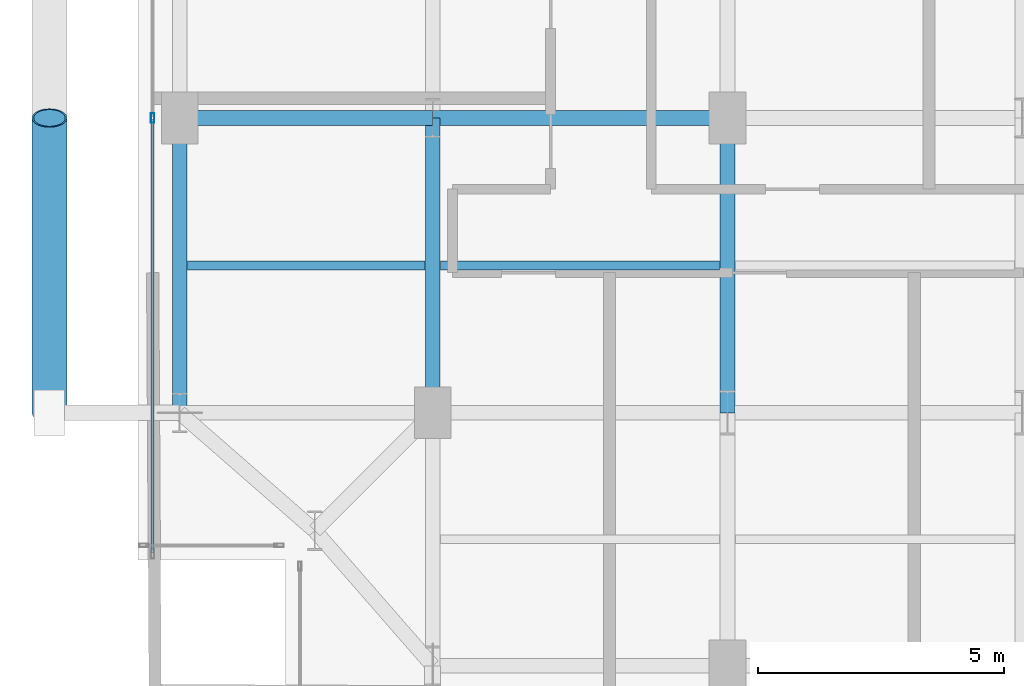
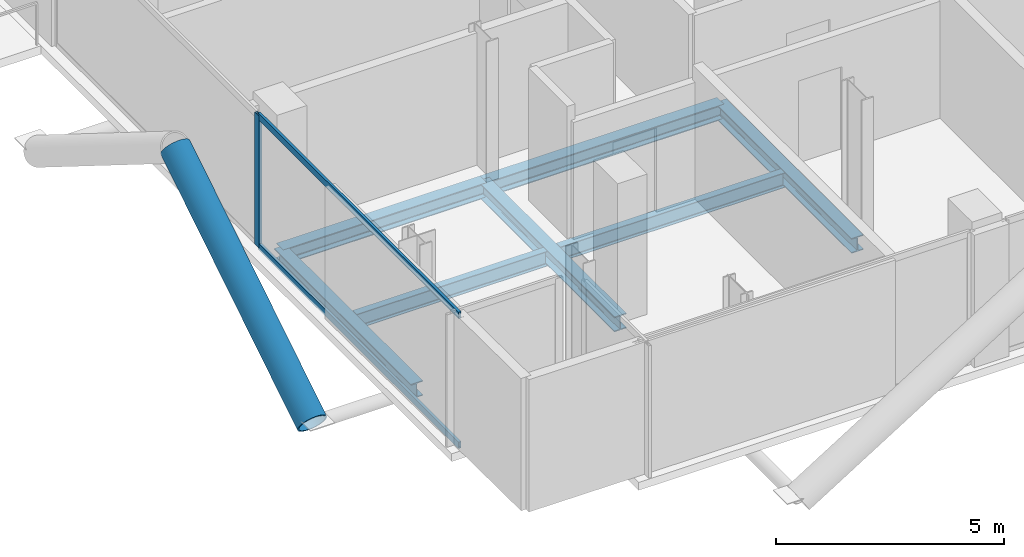
# One storey, part 3 of 26: 7 beams, 4 members, 1 element without a shape of its own.
"""IFC4 building model written with IfcOpenShell, lengths in metres."""

import ifcopenshell
import ifcopenshell.guid

model = None  # the IFC model being written
_history = None  # IfcOwnerHistory: only IFC2X3 demands one
_inside = {}  # id of a spatial element -> (the spatial element, [elements in it])
_under = {}  # id of a project, library or spatial element -> (it, [spatial elements below it])
_declared = {}  # id of a project -> (the project, [libraries it declares])
_typed = {}  # id of a type object -> (the type object, [elements of that type])
_made_of = {}  # id of a material, layer set ... -> (it, [elements and type objects made of it])


def new_model(schema):
    """Start an empty IFC model of exactly this schema.

    Asked for "IFC4X3", IfcOpenShell would pick the latest addendum, in which some entities
    have other attributes; the version numbers below select the first issue.
    IFC2X3 requires an IfcOwnerHistory on every rooted entity: one is made here for all.
    """
    global model, _history
    if schema == "IFC4X3":
        model = ifcopenshell.file(schema_version=(4, 3, 0, 0))
    else:
        model = ifcopenshell.file(schema=schema)
    _inside.clear()
    _under.clear()
    _declared.clear()
    _typed.clear()
    _made_of.clear()
    _history = None
    if model.schema == "IFC2X3":
        org = make("IfcOrganization", Name="unknown")
        user = make(
            "IfcPersonAndOrganization",
            ThePerson=make("IfcPerson", FamilyName="unknown"),
            TheOrganization=org,
        )
        app = make(
            "IfcApplication",
            ApplicationDeveloper=org,
            Version="unknown",
            ApplicationFullName="unknown",
            ApplicationIdentifier="unknown",
        )
        _history = make(
            "IfcOwnerHistory",
            OwningUser=user,
            OwningApplication=app,
            ChangeAction="ADDED",
            CreationDate=0,
        )
    return model


def make(cls, **values):
    """One entity of the class cls with the attributes given. An attribute that is None is left unset."""
    return model.create_entity(
        cls, **{name: value for name, value in values.items() if value is not None}
    )


def rooted(cls, **values):
    """An entity with a GlobalId (a new one), such as an element, a storey or a relation."""
    return make(cls, GlobalId=ifcopenshell.guid.new(), OwnerHistory=_history, **values)


def si_unit(unit_type, name, prefix=None):
    """IfcSIUnit, for example si_unit("LENGTHUNIT", "METRE", prefix="MILLI")."""
    return make("IfcSIUnit", UnitType=unit_type, Prefix=prefix, Name=name)


def assignment(units):
    """IfcUnitAssignment: the units of a project."""
    return None if units is None else make("IfcUnitAssignment", Units=units)


def point(xyz):
    """IfcCartesianPoint."""
    return None if xyz is None else make("IfcCartesianPoint", Coordinates=xyz)


def direction(xyz):
    """IfcDirection."""
    return None if xyz is None else make("IfcDirection", DirectionRatios=xyz)


def frame(location, z_axis=None, x_axis=None):
    """IfcAxis2Placement3D, a coordinate frame: its origin and axes. An axis left out is left unset."""
    return make(
        "IfcAxis2Placement3D",
        Location=point(location),
        Axis=direction(z_axis),
        RefDirection=direction(x_axis),
    )


def frame_2d(location, x_axis=None):
    """IfcAxis2Placement2D, a coordinate frame in the plane: its origin and x axis."""
    return make(
        "IfcAxis2Placement2D", Location=point(location), RefDirection=direction(x_axis)
    )


def origin():
    """The frame at (0, 0, 0) with its axes left unset."""
    return frame((0.0, 0.0, 0.0))


def origin_2d():
    """The frame at (0, 0) in the plane with its x axis left unset."""
    return frame_2d((0.0, 0.0))


def place(relative_to, where):
    """IfcLocalPlacement: puts the frame where relative to a parent placement (None: the world)."""
    return make(
        "IfcLocalPlacement", PlacementRelTo=relative_to, RelativePlacement=where
    )


def context(
    kind, dimensions, precision=None, world=None, true_north=None, identifier=None
):
    """IfcGeometricRepresentationContext, for example the 3D "Model" context."""
    return make(
        "IfcGeometricRepresentationContext",
        ContextIdentifier=identifier,
        ContextType=kind,
        CoordinateSpaceDimension=dimensions,
        Precision=precision,
        WorldCoordinateSystem=world,
        TrueNorth=true_north,
    )


def subcontext(parent, identifier, kind, view, scale=None):
    """IfcGeometricRepresentationSubContext, for example "Body" below "Model"."""
    return make(
        "IfcGeometricRepresentationSubContext",
        ContextIdentifier=identifier,
        ContextType=kind,
        ParentContext=parent,
        TargetScale=scale,
        TargetView=view,
    )


def project(units=None, contexts=None):
    """IfcProject with its units and contexts."""
    return rooted(
        "IfcProject",
        Name="project",
        RepresentationContexts=contexts,
        UnitsInContext=assignment(units),
    )


def spatial(cls, under=None, at=None, **own):
    """A site, building, storey or space (cls), placed at a placement, below another one or the project."""
    s = rooted(cls, ObjectPlacement=at, **own)
    if under is not None:
        _under.setdefault(under.id(), (under, []))[1].append(s)
    return s


def profile(cls, at=None, kind="AREA", **sizes):
    """A parametric profile (cls). Its sizes go by their IFC names, for example OverallWidth=200.0."""
    return make(cls, ProfileType=kind, Position=at, **sizes)


def hollow_rectangle(**sizes):
    """IfcRectangleHollowProfileDef."""
    return profile("IfcRectangleHollowProfileDef", **sizes)


def hollow_circle(**sizes):
    """IfcCircleHollowProfileDef."""
    return profile("IfcCircleHollowProfileDef", **sizes)


def i_section(**sizes):
    """IfcIShapeProfileDef."""
    return profile("IfcIShapeProfileDef", **sizes)


def extrude(swept, where, along, depth):
    """IfcExtrudedAreaSolid: the profile swept, set in the frame where, extruded along a direction by depth."""
    return make(
        "IfcExtrudedAreaSolid",
        SweptArea=swept,
        Position=where,
        ExtrudedDirection=direction(along),
        Depth=depth,
    )


def shape(context_of_items, identifier, shape_type, items):
    """IfcShapeRepresentation: the items that make up one representation, for example the "Body"."""
    return make(
        "IfcShapeRepresentation",
        ContextOfItems=context_of_items,
        RepresentationIdentifier=identifier,
        RepresentationType=shape_type,
        Items=items,
    )


def material(Name=None, Category=None):
    """IfcMaterial."""
    return make("IfcMaterial", Name=Name, Category=Category)


def layer(
    of_material, thickness, ventilated=None, Name=None, Category=None, Priority=None
):
    """IfcMaterialLayer: one layer of a wall or slab, of a material (None: an air gap)."""
    return make(
        "IfcMaterialLayer",
        Material=of_material,
        LayerThickness=thickness,
        IsVentilated=ventilated,
        Name=Name,
        Category=Category,
        Priority=Priority,
    )


def layer_set(layers, Name=None):
    """IfcMaterialLayerSet."""
    return make("IfcMaterialLayerSet", MaterialLayers=layers, LayerSetName=Name)


def material_profile(
    of_material, cross_section, Name=None, Category=None, Priority=None
):
    """IfcMaterialProfile: a cross section and its material."""
    return make(
        "IfcMaterialProfile",
        Name=Name,
        Material=of_material,
        Profile=cross_section,
        Priority=Priority,
        Category=Category,
    )


def profile_set(profiles, Name=None, composite=None):
    """IfcMaterialProfileSet."""
    return make(
        "IfcMaterialProfileSet",
        Name=Name,
        MaterialProfiles=profiles,
        CompositeProfile=composite,
    )


def made_of(thing, what):
    """Note that an element or type object is made of a material, layer set ...; save() writes the relation."""
    if what is not None:
        _made_of.setdefault(what.id(), (what, []))[1].append(thing)
    return thing


def type_object(cls, material=None, **own):
    """A type object (cls), such as IfcWallType, which elements share."""
    return made_of(rooted(cls, **own), material)


def element(
    cls,
    number,
    at=None,
    inside=None,
    cuts=None,
    type_object=None,
    material=None,
    context=None,
    identifier="Body",
    shape_type=None,
    held_by="IfcProductDefinitionShape",
    body=None,
    shapes=None,
    **own,
):
    """One element of the class cls, such as IfcWall. Its Tag is "e" and its number.

    at: its placement. inside: the storey or other place that contains it. cuts: it is an
    opening in that element (IfcRelVoidsElement). A single representation is given by context,
    identifier, shape_type and body (its items); several are given by shapes. held_by: the class
    of the entity that holds the representations. save() writes the other relations.
    """
    e = rooted(cls, Tag="e%d" % number, ObjectPlacement=at, **own)
    if body is not None:
        shapes = [shape(context, identifier, shape_type, body)]
    if shapes is not None:
        e.Representation = make(held_by, Representations=shapes)
    if inside is not None:
        _inside.setdefault(inside.id(), (inside, []))[1].append(e)
    if cuts is not None:
        rooted(
            "IfcRelVoidsElement", RelatingBuildingElement=cuts, RelatedOpeningElement=e
        )
    if type_object is not None:
        _typed.setdefault(type_object.id(), (type_object, []))[1].append(e)
    return made_of(e, material)


def aggregate(whole, parts):
    """IfcRelAggregates: a whole, such as a stair, and the parts it consists of."""
    return rooted("IfcRelAggregates", RelatingObject=whole, RelatedObjects=parts)


def save(model, path):
    """Write the relations noted so far, then the file.

    IfcRelAggregates (storeys below a building ...), IfcRelContainedInSpatialStructure (elements
    in a storey), IfcRelDefinesByType, IfcRelAssociatesMaterial and IfcRelDeclares: one each for
    every whole, place, type object, material and project.
    """
    for whole, parts in _under.values():
        aggregate(whole, parts)
    for where, things in _inside.values():
        rooted(
            "IfcRelContainedInSpatialStructure",
            RelatedElements=things,
            RelatingStructure=where,
        )
    for kind, things in _typed.values():
        rooted("IfcRelDefinesByType", RelatedObjects=things, RelatingType=kind)
    for what, things in _made_of.values():
        rooted("IfcRelAssociatesMaterial", RelatedObjects=things, RelatingMaterial=what)
    for by, libraries in _declared.values():
        rooted("IfcRelDeclares", RelatingContext=by, RelatedDefinitions=libraries)
    model.write(path)


model = new_model("IFC4")

# Units and contexts
model_context = context("Model", 3, precision=1e-05, world=origin(), true_north=direction((0.0, 1.0)))
body_context = subcontext(model_context, "Body", "Model", "MODEL_VIEW")
ifc_project = project(units=[si_unit("LENGTHUNIT", "METRE"), si_unit("AREAUNIT", "SQUARE_METRE"), si_unit("VOLUMEUNIT", "CUBIC_METRE"), si_unit("PLANEANGLEUNIT", "RADIAN"), si_unit("MASSUNIT", "GRAM", prefix="KILO"), si_unit("THERMODYNAMICTEMPERATUREUNIT", "KELVIN"), si_unit("POWERUNIT", "WATT")], contexts=[model_context])

# Site, building, storey
site_placement = place(None, origin())
site = spatial("IfcSite", under=ifc_project, at=site_placement, CompositionType="ELEMENT")
building_placement = place(site_placement, origin())
building = spatial("IfcBuilding", under=site, at=building_placement, Name="Svarakhadi Broadcast Tower", CompositionType="ELEMENT")
storey_placement = place(building_placement, frame((0.0, 0.0, 180.449951171875)))
storey = spatial("IfcBuildingStorey", under=building, at=storey_placement, Name="L44", CompositionType="ELEMENT", Elevation=180.449951171875)

# Beams
ifc_material_1 = material(Name="Steel S355J2 (IS 2062 E350C)", Category="steel")
ifc_material_profile_1 = material_profile(ifc_material_1, i_section(OverallWidth=0.179931640625, OverallDepth=0.39990234375, WebThickness=0.008544921875, FlangeThickness=0.013427734375, FilletRadius=0.02099609375, at=origin_2d()), Name="NPB 400x180x66")
ifc_profile_set_1 = profile_set([ifc_material_profile_1], Name="Steel S355J2 (IS 2062 E350C)")
beam_type_1 = type_object("IfcBeamType", Name="Beam_NPB400", PredefinedType="BEAM", material=ifc_profile_set_1)
beam_1_placement = place(storey_placement, frame((1.010009765625, 9.0, -0.409912109375), z_axis=(1.0, 0.0, 0.0), x_axis=(0.0, 1.0, 0.0)))
element("IfcBeam", 1, at=beam_1_placement, inside=storey, type_object=beam_type_1, Name="L44 Secondary Composite Beam SB001", PredefinedType="BEAM", context=body_context, shape_type="SweptSolid", body=[
    extrude(i_section(OverallWidth=0.179931640625, OverallDepth=0.39990234375, WebThickness=0.008544921875, FlangeThickness=0.013427734375, FilletRadius=0.02099609375, at=origin_2d()), origin(), (0.0, 0.0, 1.0), 4.830078125),
])
beam_2_placement = place(storey_placement, frame((6.159912109375, 9.0, -0.409912109375), z_axis=(1.0, 0.0, 0.0), x_axis=(0.0, 1.0, 0.0)))
element("IfcBeam", 2, at=beam_2_placement, inside=storey, type_object=beam_type_1, Name="L44 Secondary Composite Beam SB006", PredefinedType="BEAM", context=body_context, shape_type="SweptSolid", body=[
    extrude(i_section(OverallWidth=0.179931640625, OverallDepth=0.39990234375, WebThickness=0.008544921875, FlangeThickness=0.013427734375, FilletRadius=0.02099609375, at=origin_2d()), origin(), (0.0, 0.0, 1.0), 5.68017578125),
])

# Curtain wall, members
ifc_material_2 = material(Name="Anodised Bronze Aluminium AA 6063-T6", Category="aluminium")
ifc_layer = layer(ifc_material_2, 0.18994140625)
ifc_layer_set = layer_set([ifc_layer], Name="Anodised Bronze Aluminium AA 6063-T6")
curtain_wall_type = type_object("IfcCurtainWallType", Name="CW_Sys_04", PredefinedType="NOTDEFINED", material=ifc_layer_set)
curtain_wall_placement = place(storey_placement, origin())
curtain_wall = element("IfcCurtainWall", 3, at=curtain_wall_placement, inside=storey, type_object=curtain_wall_type, Name="L44 West Curtain Wall 02", PredefinedType="NOTDEFINED")
ifc_material_profile_2 = material_profile(ifc_material_2, hollow_rectangle(XDim=0.070068359375, YDim=0.18994140625, WallThickness=0.005615234375, at=origin_2d()), Name="ALU MULLION 190x70x6")
ifc_profile_set_2 = profile_set([ifc_material_profile_2], Name="Anodised Bronze Aluminium AA 6063-T6")
member_type_1 = type_object("IfcMemberType", Name="CW_Sys_04_Mul", PredefinedType="MULLION", material=ifc_profile_set_2)
member_1_placement = place(storey_placement, frame((0.300048828125, 12.0, 0.0), z_axis=(0.0, 0.0, 1.0), x_axis=(-1.0, 0.0, 0.0)))
member_1 = element("IfcMember", 4, at=member_1_placement, type_object=member_type_1, Name="CW-04 mullion 2", PredefinedType="MULLION", context=body_context, shape_type="SweptSolid", body=[
    extrude(hollow_rectangle(XDim=0.070068359375, YDim=0.18994140625, WallThickness=0.005615234375, at=origin_2d()), origin(), (0.0, 0.0, 1.0), 3.5400390625),
])
ifc_material_profile_3 = material_profile(ifc_material_2, hollow_rectangle(XDim=0.06494140625, YDim=0.175048828125, WallThickness=0.0048828125, at=origin_2d()), Name="ALU TRANSOM 175x65x5")
ifc_profile_set_3 = profile_set([ifc_material_profile_3], Name="Anodised Bronze Aluminium AA 6063-T6")
member_type_2 = type_object("IfcMemberType", Name="CW_Sys_04_Trn", PredefinedType="USERDEFINED", material=ifc_profile_set_3)
member_2_placement = place(storey_placement, frame((0.300048828125, 3.159912109375, 0.032470703125), z_axis=(0.0, 1.0, 0.0), x_axis=(-1.0, 0.0, 0.0)))
member_2 = element("IfcMember", 5, at=member_2_placement, type_object=member_type_2, Name="CW-04 transom 1.1", ObjectType="TRANSOM", PredefinedType="USERDEFINED", context=body_context, shape_type="SweptSolid", body=[
    extrude(hollow_rectangle(XDim=0.06494140625, YDim=0.175048828125, WallThickness=0.0048828125, at=origin_2d()), origin(), (0.0, 0.0, 1.0), 8.80517578125),
])
member_3_placement = place(storey_placement, frame((0.300048828125, 3.159912109375, 3.507568359375), z_axis=(0.0, 1.0, 0.0), x_axis=(-1.0, 0.0, 0.0)))
member_3 = element("IfcMember", 6, at=member_3_placement, type_object=member_type_2, Name="CW-04 transom 1.2", ObjectType="TRANSOM", PredefinedType="USERDEFINED", context=body_context, shape_type="SweptSolid", body=[
    extrude(hollow_rectangle(XDim=0.06494140625, YDim=0.175048828125, WallThickness=0.0048828125, at=origin_2d()), origin(), (0.0, 0.0, 1.0), 8.80517578125),
])
aggregate(curtain_wall, [member_1, member_2, member_3])

# Member
ifc_material_3 = material(Name="Steel S460ML (IS 2062 E450BR)", Category="steel")
ifc_material_profile_4 = material_profile(ifc_material_3, hollow_circle(Radius=0.35546875, WallThickness=0.034912109375, at=origin_2d()), Name="CHS 711x35")
ifc_profile_set_4 = profile_set([ifc_material_profile_4], Name="Steel S460ML (IS 2062 E450BR)")
member_type_3 = type_object("IfcMemberType", Name="Exo_Brace_CHS711", PredefinedType="BRACE", material=ifc_profile_set_4)
member_4_placement = place(storey_placement, frame((-1.800048828125, 6.0, -0.371826171875), z_axis=(0.0, 0.847998304005, 0.529998940003), x_axis=(-1.0, 0.0, 0.0)))
element("IfcMember", 7, at=member_4_placement, inside=storey, type_object=member_type_3, Name="L44 Exposed Bronze Exoskeleton Diagonal W04", PredefinedType="BRACE", context=body_context, shape_type="SweptSolid", body=[
    extrude(hollow_circle(Radius=0.35546875, WallThickness=0.034912109375, at=origin_2d()), origin(), (0.0, 0.0, 1.0), 7.075439453125),
])

# Beams
ifc_material_profile_5 = material_profile(ifc_material_1, i_section(OverallWidth=0.300048828125, OverallDepth=0.39990234375, WebThickness=0.013427734375, FlangeThickness=0.02392578125, FilletRadius=0.027099609375, at=origin_2d()), Name="WPB 400x300x155")
ifc_profile_set_5 = profile_set([ifc_material_profile_5], Name="Steel S355J2 (IS 2062 E350C)")
beam_type_2 = type_object("IfcBeamType", Name="Girder_WPB400", PredefinedType="USERDEFINED", material=ifc_profile_set_5)
beam_3_placement = place(storey_placement, frame((0.85009765625, 12.0, -0.409912109375), z_axis=(1.0, 0.0, 0.0), x_axis=(0.0, 1.0, 0.0)))
element("IfcBeam", 8, at=beam_3_placement, inside=storey, type_object=beam_type_2, Name="L44 Primary E-W Girder G015", ObjectType="GIRDER", PredefinedType="USERDEFINED", context=body_context, shape_type="SweptSolid", body=[
    extrude(i_section(OverallWidth=0.300048828125, OverallDepth=0.39990234375, WebThickness=0.013427734375, FlangeThickness=0.02392578125, FilletRadius=0.027099609375, at=origin_2d()), origin(), (0.0, 0.0, 1.0), 5.14990234375),
])
for number, where, z_axis, x_axis, name in (
    (9, (6.0, 12.0, -0.409912109375), (1.0, 0.0, 0.0), (0.0, 1.0, 0.0), "L44 Primary E-W Girder G016"),
    (10, (0.85009765625, 6.0, -0.409912109375), (0.0, 1.0, 0.0), (-1.0, 0.0, 0.0), "L44 Primary N-S Girder G033"),
    (11, (6.0, 6.0, -0.409912109375), (0.0, 1.0, 0.0), (-1.0, 0.0, 0.0), "L44 Primary N-S Girder G038"),
    (12, (12.0, 6.0, -0.409912109375), (0.0, 1.0, 0.0), (-1.0, 0.0, 0.0), "L44 Primary N-S Girder G043"),
):
    element("IfcBeam", number, at=place(storey_placement, frame(where, z_axis=z_axis, x_axis=x_axis)), inside=storey, type_object=beam_type_2, Name=name, ObjectType="GIRDER", PredefinedType="USERDEFINED", context=body_context, shape_type="SweptSolid", body=[
        extrude(i_section(OverallWidth=0.300048828125, OverallDepth=0.39990234375, WebThickness=0.013427734375, FlangeThickness=0.02392578125, FilletRadius=0.027099609375, at=origin_2d()), origin(), (0.0, 0.0, 1.0), 6.0),
    ])

save(model, "model.ifc")
